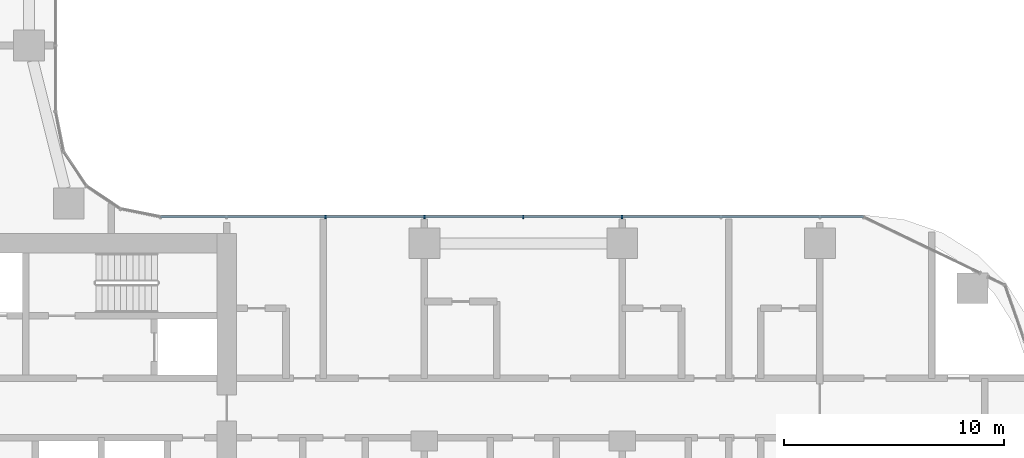
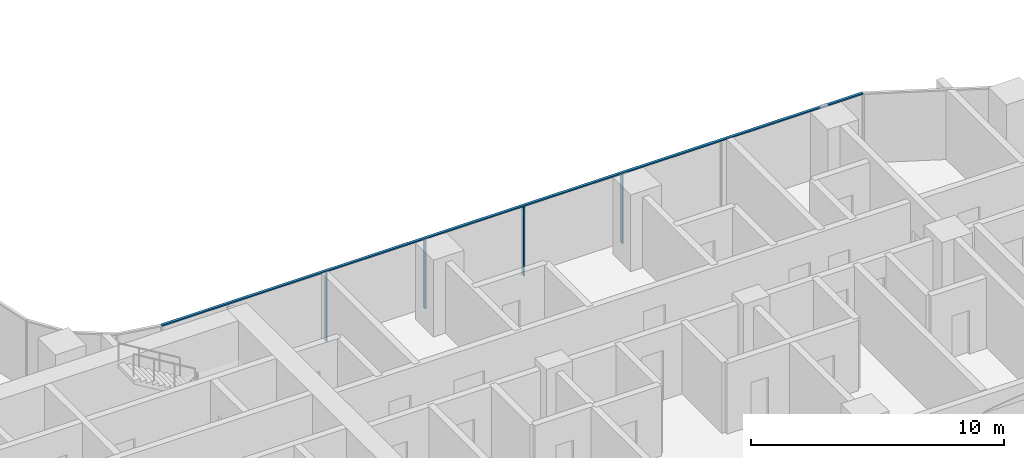
# One storey, part 4 of 36: 5 members, 1 element without a shape of its own.
"""IFC4 building model written with IfcOpenShell, lengths in metres."""

from ifc_helpers import new_model, si_unit, direction, frame, origin, origin_2d, place, context, subcontext, project, spatial, rectangle, extrude, material, material_profile, profile_set, type_object, element, aggregate, save


model = new_model("IFC4")

# Units and contexts
model_context = context("Model", 3, precision=1e-05, world=origin(), true_north=direction((0.0, 1.0)))
body_context = subcontext(model_context, "Body", "Model", "MODEL_VIEW")
ifc_project = project(units=[si_unit("LENGTHUNIT", "METRE"), si_unit("AREAUNIT", "SQUARE_METRE"), si_unit("VOLUMEUNIT", "CUBIC_METRE"), si_unit("PLANEANGLEUNIT", "RADIAN"), si_unit("MASSUNIT", "GRAM", prefix="KILO")], contexts=[model_context])

# Site, building, storey
site_placement = place(None, origin())
site = spatial("IfcSite", under=ifc_project, at=site_placement, CompositionType="ELEMENT")
building_placement = place(site_placement, origin())
building = spatial("IfcBuilding", under=site, at=building_placement, Name="Ogive Portal Towers", CompositionType="ELEMENT")
storey_placement = place(building_placement, frame((0.0, 0.0, 48.300048828125)))
storey = spatial("IfcBuildingStorey", under=building, at=storey_placement, Name="L10", CompositionType="ELEMENT", Elevation=48.300048828125)

# Curtain wall, members
ifc_material_1 = material(Name="Glass, clear low-iron insulated glazing", Category="glass")
curtain_wall_type = type_object("IfcCurtainWallType", Name="CW FRONT RIBBON 4500", PredefinedType="NOTDEFINED", material=ifc_material_1)
curtain_wall_placement = place(storey_placement, origin())
curtain_wall = element("IfcCurtainWall", 1, at=curtain_wall_placement, inside=storey, type_object=curtain_wall_type, Name="A:L10:f11:cw0", PredefinedType="NOTDEFINED")
ifc_material_2 = material(Name="Aluminium 6063 anodised", Category="aluminium")
ifc_material_profile_1 = material_profile(ifc_material_2, rectangle(XDim=0.159912109375, YDim=0.06005859375, at=origin_2d()), Name="AL 60x160")
ifc_profile_set_1 = profile_set([ifc_material_profile_1], Name="Aluminium 6063 anodised")
member_type_1 = type_object("IfcMemberType", Name="CW MULLION 60x160", PredefinedType="MULLION", material=ifc_profile_set_1)
member_1_placement = place(storey_placement, frame((76.5, 40.705078125, 0.0), z_axis=(0.0, 0.0, 1.0), x_axis=(0.0, -1.0, 0.0)))
member_1 = element("IfcMember", 2, at=member_1_placement, type_object=member_type_1, Name="mullion", PredefinedType="MULLION", context=body_context, shape_type="SweptSolid", body=[
    extrude(rectangle(XDim=0.159912109375, YDim=0.06005859375, at=origin_2d()), origin(), (0.0, 0.0, 1.0), 3.33984375),
])
member_2_placement = place(storey_placement, frame((72.0, 40.705078125, 0.0), z_axis=(0.0, 0.0, 1.0), x_axis=(0.0, -1.0, 0.0)))
member_2 = element("IfcMember", 3, at=member_2_placement, type_object=member_type_1, Name="mullion", PredefinedType="MULLION", context=body_context, shape_type="SweptSolid", body=[
    extrude(rectangle(XDim=0.159912109375, YDim=0.06005859375, at=origin_2d()), origin(), (0.0, 0.0, 1.0), 3.33984375),
])
member_3_placement = place(storey_placement, frame((67.5, 40.705078125, 0.0), z_axis=(0.0, 0.0, 1.0), x_axis=(0.0, -1.0, 0.0)))
member_3 = element("IfcMember", 4, at=member_3_placement, type_object=member_type_1, Name="mullion", PredefinedType="MULLION", context=body_context, shape_type="SweptSolid", body=[
    extrude(rectangle(XDim=0.159912109375, YDim=0.06005859375, at=origin_2d()), origin(), (0.0, 0.0, 1.0), 3.33984375),
])
member_4_placement = place(storey_placement, frame((63.0, 40.705078125, 0.0), z_axis=(0.0, 0.0, 1.0), x_axis=(0.0, -1.0, 0.0)))
member_4 = element("IfcMember", 5, at=member_4_placement, type_object=member_type_1, Name="mullion", PredefinedType="MULLION", context=body_context, shape_type="SweptSolid", body=[
    extrude(rectangle(XDim=0.159912109375, YDim=0.06005859375, at=origin_2d()), origin(), (0.0, 0.0, 1.0), 3.33984375),
])
ifc_material_profile_2 = material_profile(ifc_material_2, rectangle(XDim=0.1201171875, YDim=0.06005859375, at=origin_2d()), Name="AL 120x60")
ifc_profile_set_2 = profile_set([ifc_material_profile_2], Name="Aluminium 6063 anodised")
member_type_2 = type_object("IfcMemberType", Name="CW TRANSOM 60x120", PredefinedType="USERDEFINED", material=ifc_profile_set_2)
member_5_placement = place(storey_placement, frame((87.481689453125, 40.705078125, 3.369873046875), z_axis=(-1.0, 0.0, 0.0), x_axis=(0.0, -1.0, 0.0)))
member_5 = element("IfcMember", 6, at=member_5_placement, type_object=member_type_2, Name="transom", ObjectType="TRANSOM", PredefinedType="USERDEFINED", context=body_context, shape_type="SweptSolid", body=[
    extrude(rectangle(XDim=0.1201171875, YDim=0.06005859375, at=origin_2d()), origin(), (0.0, 0.0, 1.0), 31.989501953125),
])
aggregate(curtain_wall, [member_5, member_1, member_2, member_3, member_4])

save(model, "model.ifc")
